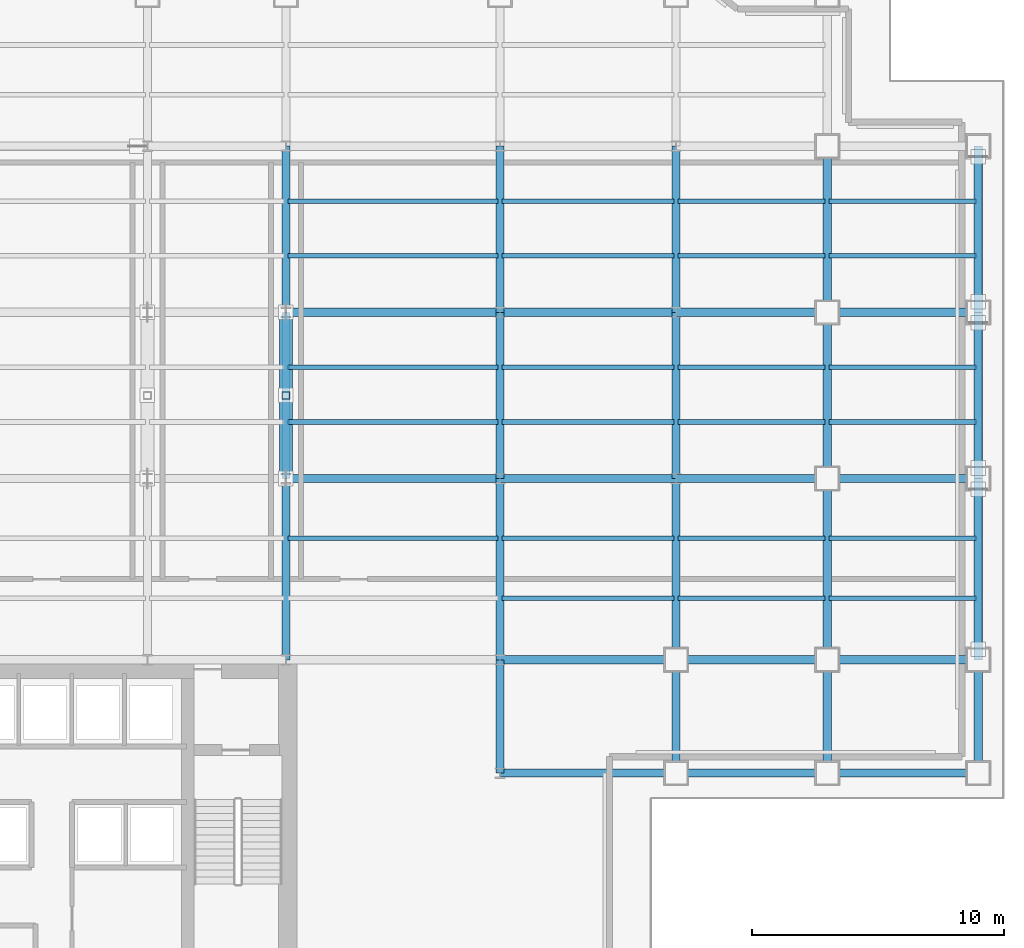
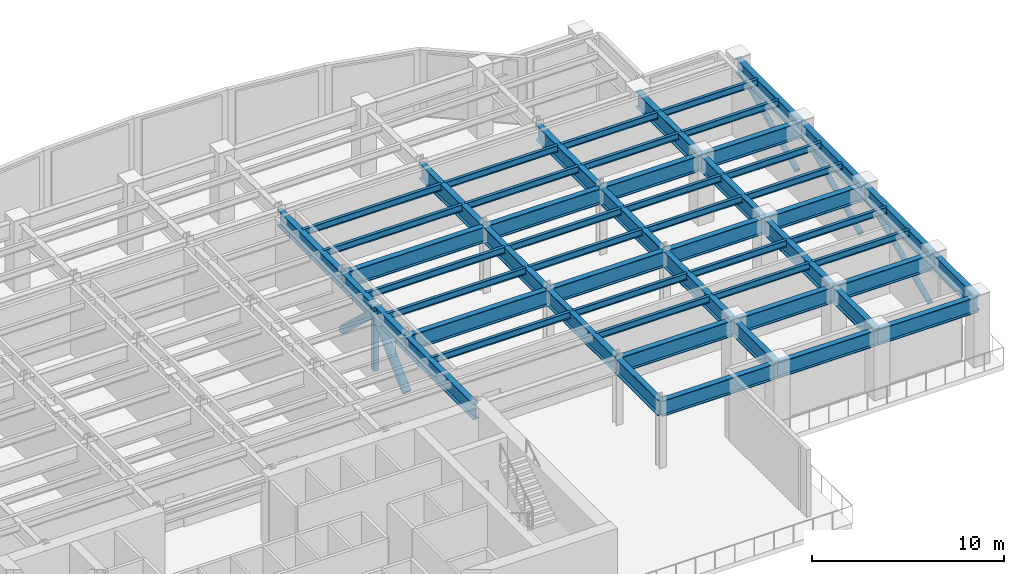
# One storey, part 3 of 14: 56 beams, 6 members.
"""IFC4 building model written with IfcOpenShell, lengths in metres."""

from ifc_helpers import new_model, si_unit, derived_unit, direction, frame, origin, origin_2d, place, context, subcontext, project, spatial, hollow_rectangle, hollow_circle, i_section, extrude, source, transform, mapped, material, material_profile, profile_set, type_object, element, save


model = new_model("IFC4")

# Units and contexts
model_context = context("Model", 3, precision=1e-05, world=origin(), true_north=direction((0.0, 1.0)))
body_context = subcontext(model_context, "Body", "Model", "MODEL_VIEW")
ifc_project = project(units=[si_unit("LENGTHUNIT", "METRE"), si_unit("AREAUNIT", "SQUARE_METRE"), si_unit("VOLUMEUNIT", "CUBIC_METRE"), si_unit("PLANEANGLEUNIT", "RADIAN"), si_unit("MASSUNIT", "GRAM", prefix="KILO"), derived_unit("THERMALTRANSMITTANCEUNIT", [(si_unit("POWERUNIT", "WATT"), 1), (si_unit("LENGTHUNIT", "METRE"), -2), (si_unit("THERMODYNAMICTEMPERATUREUNIT", "KELVIN"), -1)])], contexts=[model_context])

# Site, building, storey
site_placement = place(None, origin())
site = spatial("IfcSite", under=ifc_project, at=site_placement, CompositionType="ELEMENT")
building_placement = place(site_placement, origin())
building = spatial("IfcBuilding", under=site, at=building_placement, Name="Skarnbrae Concourse Arena and Tower", CompositionType="ELEMENT")
storey_placement = place(building_placement, frame((0.0, 0.0, 84.14990234375)))
storey = spatial("IfcBuildingStorey", under=building, at=storey_placement, Name="L20", CompositionType="ELEMENT", Elevation=84.14990234375)

# Beams
ifc_material = material(Name="Steel CSA G40.21 350W", Category="steel")
ifc_material_profile_1 = material_profile(ifc_material, i_section(OverallWidth=0.180908203125, OverallDepth=0.4169921875, WebThickness=0.010986328125, FlangeThickness=0.018310546875, at=origin_2d()), Name="W410X85")
ifc_profile_set_1 = profile_set([ifc_material_profile_1], Name="Steel CSA G40.21 350W")
beam_type_1 = type_object("IfcBeamType", Name="BM-JOIST-W410X85", PredefinedType="JOIST", material=ifc_profile_set_1)
shared_shape_1 = source(origin(), body_context, "Body", "SweptSolid", [
    extrude(i_section(OverallWidth=0.180908203125, OverallDepth=0.4169921875, WebThickness=0.010986328125, FlangeThickness=0.018310546875, at=origin_2d()), origin(), (0.0, 0.0, 1.0), 8.33984375),
])
for number, where, z_axis, x_axis, name in (
    (1, (33.580078125, 18.823974609375, 3.99169921875), (1.0, 0.0, 0.0), (0.0, 1.0, 0.0), "L20 Secondary floor joist 1.2.6"),
    (2, (33.580078125, 23.444091796875, 3.99169921875), (1.0, 0.0, 0.0), (0.0, 1.0, 0.0), "L20 Secondary floor joist 2.1.6"),
    (3, (33.580078125, 25.6220703125, 3.99169921875), (1.0, 0.0, 0.0), (0.0, 1.0, 0.0), "L20 Secondary floor joist 2.2.6"),
    (4, (33.580078125, 30.0439453125, 3.99169921875), (1.0, 0.0, 0.0), (0.0, 1.0, 0.0), "L20 Secondary floor joist 3.1.6"),
    (5, (33.580078125, 32.221923828125, 3.99169921875), (1.0, 0.0, 0.0), (0.0, 1.0, 0.0), "L20 Secondary floor joist 3.2.6"),
):
    element("IfcBeam", number, at=place(storey_placement, frame(where, z_axis=z_axis, x_axis=x_axis)), inside=storey, type_object=beam_type_1, Name=name, PredefinedType="JOIST", context=body_context, shape_type="MappedRepresentation", body=[
        mapped(shared_shape_1, transform((0.0, 0.0, 0.0))),
    ])
shared_shape_2 = source(origin(), body_context, "Body", "SweptSolid", [
    extrude(i_section(OverallWidth=0.180908203125, OverallDepth=0.4169921875, WebThickness=0.010986328125, FlangeThickness=0.018310546875, at=origin_2d()), origin(), (0.0, 0.0, 1.0), 6.83984375),
])
for number, where, z_axis, x_axis, name in (
    (6, (42.080078125, 16.447998046875, 3.99169921875), (1.0, 0.0, 0.0), (0.0, 1.0, 0.0), "L20 Secondary floor joist 1.1.7"),
    (7, (42.080078125, 18.823974609375, 3.99169921875), (1.0, 0.0, 0.0), (0.0, 1.0, 0.0), "L20 Secondary floor joist 1.2.7"),
    (8, (42.080078125, 23.444091796875, 3.99169921875), (1.0, 0.0, 0.0), (0.0, 1.0, 0.0), "L20 Secondary floor joist 2.1.7"),
    (9, (42.080078125, 25.6220703125, 3.99169921875), (1.0, 0.0, 0.0), (0.0, 1.0, 0.0), "L20 Secondary floor joist 2.2.7"),
    (10, (42.080078125, 30.0439453125, 3.99169921875), (1.0, 0.0, 0.0), (0.0, 1.0, 0.0), "L20 Secondary floor joist 3.1.7"),
    (11, (42.080078125, 32.221923828125, 3.99169921875), (1.0, 0.0, 0.0), (0.0, 1.0, 0.0), "L20 Secondary floor joist 3.2.7"),
):
    element("IfcBeam", number, at=place(storey_placement, frame(where, z_axis=z_axis, x_axis=x_axis)), inside=storey, type_object=beam_type_1, Name=name, PredefinedType="JOIST", context=body_context, shape_type="MappedRepresentation", body=[
        mapped(shared_shape_2, transform((0.0, 0.0, 0.0))),
    ])
shared_shape_3 = source(origin(), body_context, "Body", "SweptSolid", [
    extrude(i_section(OverallWidth=0.180908203125, OverallDepth=0.4169921875, WebThickness=0.010986328125, FlangeThickness=0.018310546875, at=origin_2d()), origin(), (0.0, 0.0, 1.0), 5.83984375),
])
for number, where, z_axis, x_axis, name in (
    (12, (49.080078125, 16.447998046875, 3.99169921875), (1.0, 0.0, 0.0), (0.0, 1.0, 0.0), "L20 Secondary floor joist 1.1.8"),
    (13, (55.080078125, 16.447998046875, 3.99169921875), (1.0, 0.0, 0.0), (0.0, 1.0, 0.0), "L20 Secondary floor joist 1.1.9"),
    (14, (49.080078125, 18.823974609375, 3.99169921875), (1.0, 0.0, 0.0), (0.0, 1.0, 0.0), "L20 Secondary floor joist 1.2.8"),
    (15, (55.080078125, 18.823974609375, 3.99169921875), (1.0, 0.0, 0.0), (0.0, 1.0, 0.0), "L20 Secondary floor joist 1.2.9"),
    (16, (49.080078125, 23.444091796875, 3.99169921875), (1.0, 0.0, 0.0), (0.0, 1.0, 0.0), "L20 Secondary floor joist 2.1.8"),
    (17, (55.080078125, 23.444091796875, 3.99169921875), (1.0, 0.0, 0.0), (0.0, 1.0, 0.0), "L20 Secondary floor joist 2.1.9"),
    (18, (49.080078125, 25.6220703125, 3.99169921875), (1.0, 0.0, 0.0), (0.0, 1.0, 0.0), "L20 Secondary floor joist 2.2.8"),
    (19, (55.080078125, 25.6220703125, 3.99169921875), (1.0, 0.0, 0.0), (0.0, 1.0, 0.0), "L20 Secondary floor joist 2.2.9"),
    (20, (49.080078125, 30.0439453125, 3.99169921875), (1.0, 0.0, 0.0), (0.0, 1.0, 0.0), "L20 Secondary floor joist 3.1.8"),
    (21, (55.080078125, 30.0439453125, 3.99169921875), (1.0, 0.0, 0.0), (0.0, 1.0, 0.0), "L20 Secondary floor joist 3.1.9"),
    (22, (49.080078125, 32.221923828125, 3.99169921875), (1.0, 0.0, 0.0), (0.0, 1.0, 0.0), "L20 Secondary floor joist 3.2.8"),
    (23, (55.080078125, 32.221923828125, 3.99169921875), (1.0, 0.0, 0.0), (0.0, 1.0, 0.0), "L20 Secondary floor joist 3.2.9"),
):
    element("IfcBeam", number, at=place(storey_placement, frame(where, z_axis=z_axis, x_axis=x_axis)), inside=storey, type_object=beam_type_1, Name=name, PredefinedType="JOIST", context=body_context, shape_type="MappedRepresentation", body=[
        mapped(shared_shape_3, transform((0.0, 0.0, 0.0))),
    ])
ifc_material_profile_2 = material_profile(ifc_material, i_section(OverallWidth=0.327880859375, OverallDepth=1.0, WebThickness=0.02099609375, FlangeThickness=0.03759765625, at=origin_2d()), Name="W1000X371")
ifc_profile_set_2 = profile_set([ifc_material_profile_2], Name="Steel CSA G40.21 350W")
beam_type_2 = type_object("IfcBeamType", Name="BM-XFER-W1000X371", PredefinedType="BEAM", material=ifc_profile_set_2)
shared_shape_4 = source(origin(), body_context, "Body", "SweptSolid", [
    extrude(i_section(OverallWidth=0.327880859375, OverallDepth=1.0, WebThickness=0.02099609375, FlangeThickness=0.03759765625, at=origin_2d()), origin(), (0.0, 0.0, 1.0), 7.0),
])
for number, where, z_axis, x_axis, name in (
    (24, (42.0, 9.5, 3.7001953125), (1.0, 0.0, 0.0), (0.0, 1.0, 0.0), "L20 Primary E-W girder Y9.5-2"),
    (25, (42.0, 14.0, 3.7001953125), (1.0, 0.0, 0.0), (0.0, 1.0, 0.0), "L20 Primary E-W girder Y14.0-7"),
    (26, (42.0, 21.199951171875, 3.7001953125), (1.0, 0.0, 0.0), (0.0, 1.0, 0.0), "L20 Primary E-W girder Y21.2-7"),
    (27, (42.0, 27.800048828125, 3.7001953125), (1.0, 0.0, 0.0), (0.0, 1.0, 0.0), "L20 Primary E-W girder Y27.8-7"),
):
    element("IfcBeam", number, at=place(storey_placement, frame(where, z_axis=z_axis, x_axis=x_axis)), inside=storey, type_object=beam_type_2, Name=name, PredefinedType="BEAM", context=body_context, shape_type="MappedRepresentation", body=[
        mapped(shared_shape_4, transform((0.0, 0.0, 0.0))),
    ])
shared_shape_5 = source(origin(), body_context, "Body", "SweptSolid", [
    extrude(i_section(OverallWidth=0.327880859375, OverallDepth=1.0, WebThickness=0.02099609375, FlangeThickness=0.03759765625, at=origin_2d()), origin(), (0.0, 0.0, 1.0), 6.0),
])
for number, where, z_axis, x_axis, name in (
    (28, (49.0, 9.5, 3.7001953125), (1.0, 0.0, 0.0), (0.0, 1.0, 0.0), "L20 Perimeter spandrel Y9.5-3"),
    (29, (55.0, 9.5, 3.7001953125), (1.0, 0.0, 0.0), (0.0, 1.0, 0.0), "L20 Perimeter spandrel Y9.5-4"),
    (30, (49.0, 14.0, 3.7001953125), (1.0, 0.0, 0.0), (0.0, 1.0, 0.0), "L20 Perimeter spandrel Y14.0-8"),
    (31, (55.0, 14.0, 3.7001953125), (1.0, 0.0, 0.0), (0.0, 1.0, 0.0), "L20 Perimeter spandrel Y14.0-9"),
    (32, (49.0, 21.199951171875, 3.7001953125), (1.0, 0.0, 0.0), (0.0, 1.0, 0.0), "L20 Primary E-W girder Y21.2-8"),
    (33, (55.0, 21.199951171875, 3.7001953125), (1.0, 0.0, 0.0), (0.0, 1.0, 0.0), "L20 Perimeter spandrel Y21.2-9"),
    (34, (49.0, 27.800048828125, 3.7001953125), (1.0, 0.0, 0.0), (0.0, 1.0, 0.0), "L20 Primary E-W girder Y27.8-8"),
    (35, (55.0, 27.800048828125, 3.7001953125), (1.0, 0.0, 0.0), (0.0, 1.0, 0.0), "L20 Perimeter spandrel Y27.8-9"),
):
    element("IfcBeam", number, at=place(storey_placement, frame(where, z_axis=z_axis, x_axis=x_axis)), inside=storey, type_object=beam_type_2, Name=name, PredefinedType="BEAM", context=body_context, shape_type="MappedRepresentation", body=[
        mapped(shared_shape_5, transform((0.0, 0.0, 0.0))),
    ])
shared_shape_6 = source(origin(), body_context, "Body", "SweptSolid", [
    extrude(i_section(OverallWidth=0.327880859375, OverallDepth=1.0, WebThickness=0.02099609375, FlangeThickness=0.03759765625, at=origin_2d()), origin(), (0.0, 0.0, 1.0), 6.60009765625),
])
for number, where, z_axis, x_axis, name in (
    (36, (33.5, 21.199951171875, 3.7001953125), (0.0, 1.0, 0.0), (-1.0, 0.0, 0.0), "L20 Primary N-S girder X33.5-2"),
    (37, (42.0, 21.199951171875, 3.7001953125), (0.0, 1.0, 0.0), (-1.0, 0.0, 0.0), "L20 Primary N-S girder X42.0-3"),
    (38, (49.0, 21.199951171875, 3.7001953125), (0.0, 1.0, 0.0), (-1.0, 0.0, 0.0), "L20 Primary N-S girder X49.0-3"),
    (39, (55.0, 21.199951171875, 3.7001953125), (0.0, 1.0, 0.0), (-1.0, 0.0, 0.0), "L20 Perimeter spandrel X55.0-3"),
    (40, (61.0, 21.199951171875, 3.7001953125), (0.0, 1.0, 0.0), (-1.0, 0.0, 0.0), "L20 Perimeter spandrel X61.0-3"),
):
    element("IfcBeam", number, at=place(storey_placement, frame(where, z_axis=z_axis, x_axis=x_axis)), inside=storey, type_object=beam_type_2, Name=name, PredefinedType="BEAM", context=body_context, shape_type="MappedRepresentation", body=[
        mapped(shared_shape_6, transform((0.0, 0.0, 0.0))),
    ])
shared_shape_7 = source(origin(), body_context, "Body", "SweptSolid", [
    extrude(i_section(OverallWidth=0.327880859375, OverallDepth=1.0, WebThickness=0.02099609375, FlangeThickness=0.03759765625, at=origin_2d()), origin(), (0.0, 0.0, 1.0), 8.5),
])
for number, where, z_axis, x_axis, name in (
    (41, (33.5, 21.199951171875, 3.7001953125), (1.0, 0.0, 0.0), (0.0, 1.0, 0.0), "L20 Primary E-W girder Y21.2-6"),
    (42, (33.5, 27.800048828125, 3.7001953125), (1.0, 0.0, 0.0), (0.0, 1.0, 0.0), "L20 Primary E-W girder Y27.8-6"),
):
    element("IfcBeam", number, at=place(storey_placement, frame(where, z_axis=z_axis, x_axis=x_axis)), inside=storey, type_object=beam_type_2, Name=name, PredefinedType="BEAM", context=body_context, shape_type="MappedRepresentation", body=[
        mapped(shared_shape_7, transform((0.0, 0.0, 0.0))),
    ])
shared_shape_8 = source(origin(), body_context, "Body", "SweptSolid", [
    extrude(i_section(OverallWidth=0.327880859375, OverallDepth=1.0, WebThickness=0.02099609375, FlangeThickness=0.03759765625, at=origin_2d()), origin(), (0.0, 0.0, 1.0), 4.5),
])
for number, where, z_axis, x_axis, name in (
    (43, (42.0, 9.5, 3.7001953125), (0.0, 1.0, 0.0), (-1.0, 0.0, 0.0), "L20 Primary N-S girder X42.0-1"),
    (44, (49.0, 9.5, 3.7001953125), (0.0, 1.0, 0.0), (-1.0, 0.0, 0.0), "L20 Perimeter spandrel X49.0-1"),
    (45, (55.0, 9.5, 3.7001953125), (0.0, 1.0, 0.0), (-1.0, 0.0, 0.0), "L20 Perimeter spandrel X55.0-1"),
    (46, (61.0, 9.5, 3.7001953125), (0.0, 1.0, 0.0), (-1.0, 0.0, 0.0), "L20 Perimeter spandrel X61.0-1"),
):
    element("IfcBeam", number, at=place(storey_placement, frame(where, z_axis=z_axis, x_axis=x_axis)), inside=storey, type_object=beam_type_2, Name=name, PredefinedType="BEAM", context=body_context, shape_type="MappedRepresentation", body=[
        mapped(shared_shape_8, transform((0.0, 0.0, 0.0))),
    ])
shared_shape_9 = source(origin(), body_context, "Body", "SweptSolid", [
    extrude(i_section(OverallWidth=0.327880859375, OverallDepth=1.0, WebThickness=0.02099609375, FlangeThickness=0.03759765625, at=origin_2d()), origin(), (0.0, 0.0, 1.0), 7.199951171875),
])
for number, where, z_axis, x_axis, name in (
    (47, (33.5, 14.0, 3.7001953125), (0.0, 1.0, 0.0), (-1.0, 0.0, 0.0), "L20 Primary N-S girder X33.5-1"),
    (48, (42.0, 14.0, 3.7001953125), (0.0, 1.0, 0.0), (-1.0, 0.0, 0.0), "L20 Primary N-S girder X42.0-2"),
    (49, (49.0, 14.0, 3.7001953125), (0.0, 1.0, 0.0), (-1.0, 0.0, 0.0), "L20 Primary N-S girder X49.0-2"),
    (50, (55.0, 14.0, 3.7001953125), (0.0, 1.0, 0.0), (-1.0, 0.0, 0.0), "L20 Perimeter spandrel X55.0-2"),
    (51, (61.0, 14.0, 3.7001953125), (0.0, 1.0, 0.0), (-1.0, 0.0, 0.0), "L20 Perimeter spandrel X61.0-2"),
):
    element("IfcBeam", number, at=place(storey_placement, frame(where, z_axis=z_axis, x_axis=x_axis)), inside=storey, type_object=beam_type_2, Name=name, PredefinedType="BEAM", context=body_context, shape_type="MappedRepresentation", body=[
        mapped(shared_shape_9, transform((0.0, 0.0, 0.0))),
    ])
shared_shape_10 = source(origin(), body_context, "Body", "SweptSolid", [
    extrude(i_section(OverallWidth=0.327880859375, OverallDepth=1.0, WebThickness=0.02099609375, FlangeThickness=0.03759765625, at=origin_2d()), origin(), (0.0, 0.0, 1.0), 6.599853515625),
])
for number, where, z_axis, x_axis, name in (
    (52, (33.5, 27.800048828125, 3.7001953125), (0.0, 1.0, 0.0), (-1.0, 0.0, 0.0), "L20 Primary N-S girder X33.5-3"),
    (53, (42.0, 27.800048828125, 3.7001953125), (0.0, 1.0, 0.0), (-1.0, 0.0, 0.0), "L20 Primary N-S girder X42.0-4"),
    (54, (49.0, 27.800048828125, 3.7001953125), (0.0, 1.0, 0.0), (-1.0, 0.0, 0.0), "L20 Primary N-S girder X49.0-4"),
    (55, (55.0, 27.800048828125, 3.7001953125), (0.0, 1.0, 0.0), (-1.0, 0.0, 0.0), "L20 Perimeter spandrel X55.0-4"),
    (56, (61.0, 27.800048828125, 3.7001953125), (0.0, 1.0, 0.0), (-1.0, 0.0, 0.0), "L20 Perimeter spandrel X61.0-4"),
):
    element("IfcBeam", number, at=place(storey_placement, frame(where, z_axis=z_axis, x_axis=x_axis)), inside=storey, type_object=beam_type_2, Name=name, PredefinedType="BEAM", context=body_context, shape_type="MappedRepresentation", body=[
        mapped(shared_shape_10, transform((0.0, 0.0, 0.0))),
    ])

# Members
ifc_material_profile_3 = material_profile(ifc_material, hollow_circle(Radius=0.25390625, WallThickness=0.02490234375, at=origin_2d()), Name="HSS508X25.0")
ifc_profile_set_3 = profile_set([ifc_material_profile_3], Name="Steel CSA G40.21 350W")
member_type_1 = type_object("IfcMemberType", Name="MEM-OUTRIG-CHS508", PredefinedType="BRACE", material=ifc_profile_set_3)
shared_shape_11 = source(origin(), body_context, "Body", "SweptSolid", [
    extrude(hollow_circle(Radius=0.25390625, WallThickness=0.02490234375, at=origin_2d()), origin(), (0.0, 0.0, 1.0), 4.52783203125),
])
for number, where, z_axis, x_axis, name in (
    (57, (33.5, 21.199951171875, 0.550048828125), (0.0, 0.728842364395, 0.684681537551), (-1.0, 0.0, 0.0), "L20 Core outrigger trusses diagonal O4.1"),
    (58, (33.5, 24.5, 3.650146484375), (0.0, 0.728842364395, -0.684681537551), (-1.0, 0.0, 0.0), "L20 Core outrigger trusses diagonal O4.2"),
):
    element("IfcMember", number, at=place(storey_placement, frame(where, z_axis=z_axis, x_axis=x_axis)), inside=storey, type_object=member_type_1, Name=name, PredefinedType="BRACE", context=body_context, shape_type="MappedRepresentation", body=[
        mapped(shared_shape_11, transform((0.0, 0.0, 0.0))),
    ])
ifc_material_profile_4 = material_profile(ifc_material, hollow_rectangle(XDim=0.3046875, YDim=0.3046875, WallThickness=0.015869140625, at=origin_2d()), Name="HSS305X305X15.9")
ifc_profile_set_4 = profile_set([ifc_material_profile_4], Name="Steel CSA G40.21 350W")
member_type_2 = type_object("IfcMemberType", Name="MEM-POST-HSS305", PredefinedType="POST", material=ifc_profile_set_4)
shared_shape_12 = source(origin(), body_context, "Body", "SweptSolid", [
    extrude(hollow_rectangle(XDim=0.3046875, YDim=0.3046875, WallThickness=0.015869140625, at=origin_2d()), origin(), (0.0, 0.0, 1.0), 4.2001953125),
])
member_1_placement = place(storey_placement, frame((33.5, 24.5, 0.0), z_axis=(0.0, 0.0, 1.0), x_axis=(1.0, 0.0, 0.0)))
element("IfcMember", 59, at=member_1_placement, inside=storey, type_object=member_type_2, Name="L20 Outrigger truss mid-post O4", PredefinedType="POST", context=body_context, shape_type="MappedRepresentation", body=[
    mapped(shared_shape_12, transform((0.0, 0.0, 0.0))),
])
ifc_material_profile_5 = material_profile(ifc_material, hollow_circle(Radius=0.161865234375, WallThickness=0.01904296875, at=origin_2d()), Name="HSS324X19.0")
ifc_profile_set_5 = profile_set([ifc_material_profile_5], Name="Steel CSA G40.21 350W")
member_type_3 = type_object("IfcMemberType", Name="MEM-BELT-CHS324", PredefinedType="BRACE", material=ifc_profile_set_5)
shared_shape_13 = source(origin(), body_context, "Body", "SweptSolid", [
    extrude(hollow_circle(Radius=0.161865234375, WallThickness=0.01904296875, at=origin_2d()), origin(), (0.0, 0.0, 1.0), 6.9189453125),
])
member_2_placement = place(storey_placement, frame((61.0, 14.422607421875, 0.73193359375), z_axis=(0.0, 0.918475721725, 0.395477368002), x_axis=(-1.0, 0.0, 0.0)))
element("IfcMember", 60, at=member_2_placement, inside=storey, type_object=member_type_3, Name="L20 Perimeter belt trusses diagonal B04", PredefinedType="BRACE", context=body_context, shape_type="MappedRepresentation", body=[
    mapped(shared_shape_13, transform((0.0, 0.0, 0.0))),
])
shared_shape_14 = source(origin(), body_context, "Body", "SweptSolid", [
    extrude(hollow_circle(Radius=0.161865234375, WallThickness=0.01904296875, at=origin_2d()), origin(), (0.0, 0.0, 1.0), 6.37158203125),
])
member_3_placement = place(storey_placement, frame((61.0, 21.616455078125, 0.74560546875), z_axis=(0.0, 0.905117197869, 0.425162155091), x_axis=(-1.0, 0.0, 0.0)))
element("IfcMember", 61, at=member_3_placement, inside=storey, type_object=member_type_3, Name="L20 Perimeter belt trusses diagonal B05", PredefinedType="BRACE", context=body_context, shape_type="MappedRepresentation", body=[
    mapped(shared_shape_14, transform((0.0, 0.0, 0.0))),
])
shared_shape_15 = source(origin(), body_context, "Body", "SweptSolid", [
    extrude(hollow_circle(Radius=0.161865234375, WallThickness=0.01904296875, at=origin_2d()), origin(), (0.0, 0.0, 1.0), 6.371826171875),
])
member_4_placement = place(storey_placement, frame((61.0, 28.21630859375, 0.74560546875), z_axis=(0.0, 0.905124123746, 0.425147410451), x_axis=(-1.0, 0.0, 0.0)))
element("IfcMember", 62, at=member_4_placement, inside=storey, type_object=member_type_3, Name="L20 Perimeter belt trusses diagonal B06", PredefinedType="BRACE", context=body_context, shape_type="MappedRepresentation", body=[
    mapped(shared_shape_15, transform((0.0, 0.0, 0.0))),
])

save(model, "model.ifc")
